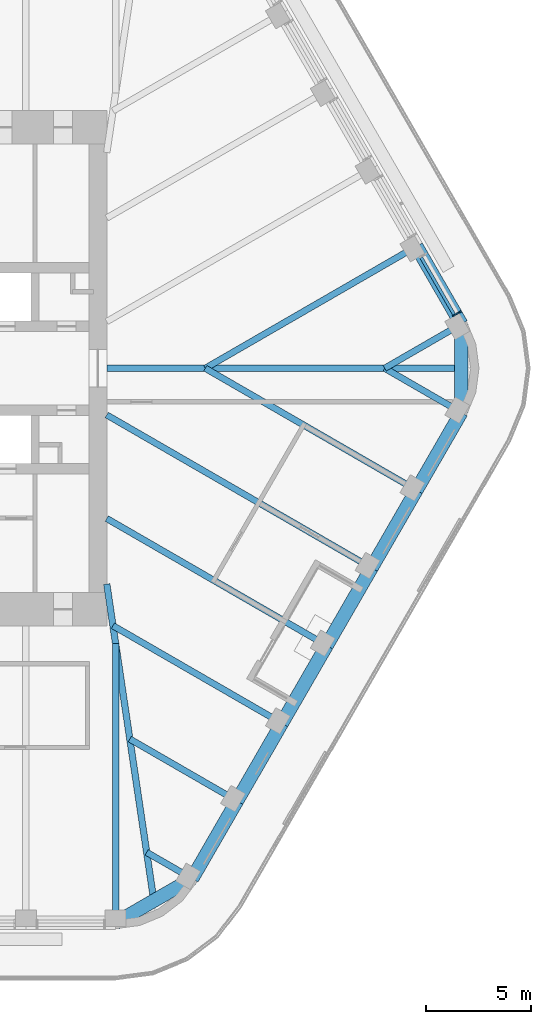
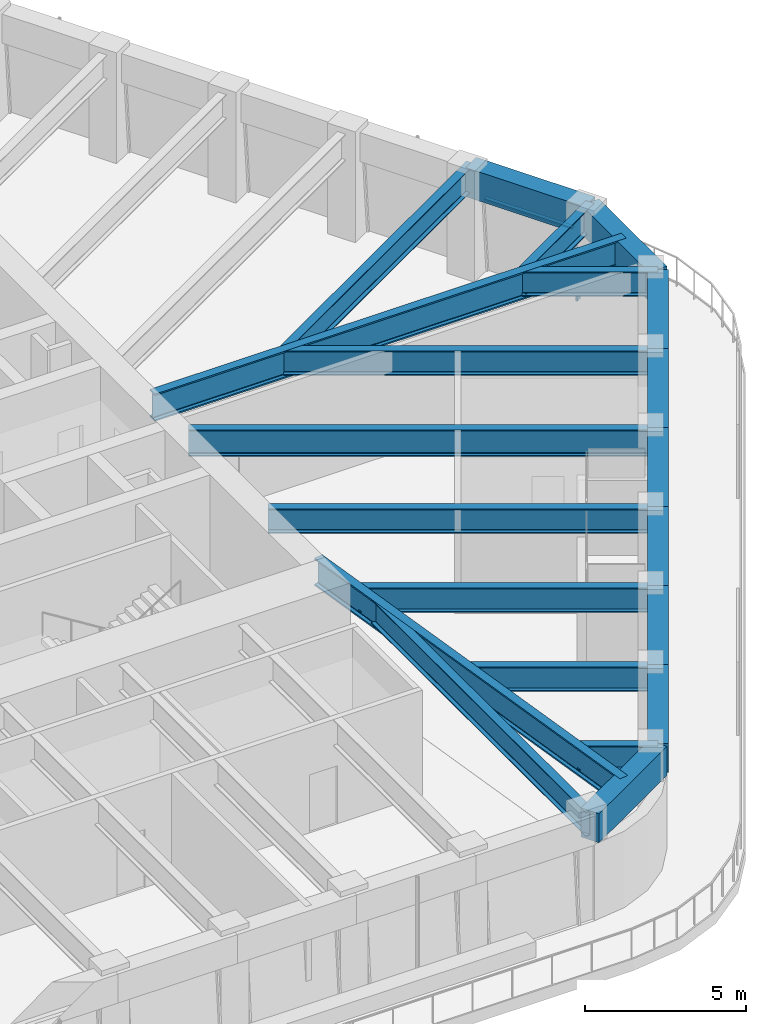
# One storey, part 5 of 19: 21 beams, 2 members, 1 element without a shape of its own.
"""IFC4 building model written with IfcOpenShell, lengths in metres."""

from ifc_helpers import new_model, si_unit, direction, frame, origin, origin_2d, place, context, subcontext, project, spatial, rectangle, i_section, extrude, material, material_profile, profile_set, type_object, element, aggregate, save


model = new_model("IFC4")

# Units and contexts
model_context = context("Model", 3, precision=1e-05, world=origin(), true_north=direction((0.0, 1.0)))
body_context = subcontext(model_context, "Body", "Model", "MODEL_VIEW")
ifc_project = project(units=[si_unit("LENGTHUNIT", "METRE"), si_unit("AREAUNIT", "SQUARE_METRE"), si_unit("VOLUMEUNIT", "CUBIC_METRE"), si_unit("PLANEANGLEUNIT", "RADIAN"), si_unit("MASSUNIT", "GRAM", prefix="KILO")], contexts=[model_context])

# Site, building, storey
site_placement = place(None, origin())
site = spatial("IfcSite", under=ifc_project, at=site_placement, CompositionType="ELEMENT")
building_placement = place(site_placement, origin())
building = spatial("IfcBuilding", under=site, at=building_placement, Name="Tarfa Lantern Tower", CompositionType="ELEMENT")
storey_placement = place(building_placement, frame((0.0, 0.0, 332.5)))
storey = spatial("IfcBuildingStorey", under=building, at=storey_placement, Name="L75", CompositionType="ELEMENT", Elevation=332.5)

# Curtain wall, members
ifc_material_1 = material(Name="Aluminium framed curtain wall", Category="aluminium")
curtain_wall_type = type_object("IfcCurtainWallType", Name="CW4 CANTED GLAZING EXECUTIVE ZONE 2900", PredefinedType="USERDEFINED", material=ifc_material_1)
curtain_wall_placement = place(storey_placement, origin())
curtain_wall = element("IfcCurtainWall", 1, at=curtain_wall_placement, inside=storey, type_object=curtain_wall_type, Name="CW4 NE L75", ObjectType="CURTAIN WALL", PredefinedType="USERDEFINED")
ifc_material_2 = material(Name="Aluminium mullion", Category="aluminium")
ifc_material_profile_1 = material_profile(ifc_material_2, rectangle(XDim=0.06494140625, YDim=0.199951171875, at=origin_2d()), Name="AL MULLION 65x200")
ifc_profile_set_1 = profile_set([ifc_material_profile_1], Name="Aluminium mullion")
member_type_1 = type_object("IfcMemberType", Name="CWM1 MULLION 65x200", PredefinedType="MULLION", material=ifc_profile_set_1)
member_1_placement = place(storey_placement, frame((29.236328125, 2.6611328125, 0.0), z_axis=(-0.074399820079, -0.042945555672, 0.996303340364), x_axis=(0.499919672301, -0.866071776036, 0.0)))
member_1 = element("IfcMember", 2, at=member_1_placement, type_object=member_type_1, Name="CW4 mullion 1", PredefinedType="MULLION", context=body_context, shape_type="SweptSolid", body=[
    extrude(rectangle(XDim=0.06494140625, YDim=0.199951171875, at=origin_2d()), origin(), (0.0, 0.0, 1.0), 2.91064453125),
])
ifc_material_3 = material(Name="Aluminium transom", Category="aluminium")
ifc_material_profile_2 = material_profile(ifc_material_3, rectangle(XDim=0.14990234375, YDim=0.06494140625, at=origin_2d()), Name="AL TRANSOM 150x65")
ifc_profile_set_2 = profile_set([ifc_material_profile_2], Name="Aluminium transom")
member_type_2 = type_object("IfcMemberType", Name="CWT1 TRANSOM 150x65", PredefinedType="USERDEFINED", material=ifc_profile_set_2)
member_2_placement = place(storey_placement, frame((29.006103515625, 2.565673828125, 2.867431640625), z_axis=(-0.500037562771, 0.866003715822, 0.0), x_axis=(-0.866003715822, -0.500037562771, 0.0)))
member_2 = element("IfcMember", 3, at=member_2_placement, type_object=member_type_2, Name="CW4 transom 1.2", ObjectType="TRANSOM", PredefinedType="USERDEFINED", context=body_context, shape_type="SweptSolid", body=[
    extrude(rectangle(XDim=0.14990234375, YDim=0.06494140625, at=origin_2d()), origin(), (0.0, 0.0, 1.0), 3.152099609375),
])
aggregate(curtain_wall, [member_1, member_2])

# Beams
ifc_material_4 = material(Name="Concrete C80/95", Category="concrete")
ifc_material_profile_3 = material_profile(ifc_material_4, rectangle(XDim=0.64990234375, YDim=1.10009765625, at=origin_2d()), Name="RC 650x1100")
ifc_profile_set_3 = profile_set([ifc_material_profile_3], Name="Concrete C80/95")
beam_type_1 = type_object("IfcBeamType", Name="EB4 RC 650x1100", PredefinedType="SPANDREL", material=ifc_profile_set_3)
beam_1_placement = place(storey_placement, frame((29.3466796875, 2.110107421875, 3.449951171875), z_axis=(-0.499984039138, 0.866034618596, 0.0), x_axis=(-0.866034618596, -0.499984039138, 0.0)))
element("IfcBeam", 4, at=beam_1_placement, inside=storey, type_object=beam_type_1, Name="Edge beam NE0", PredefinedType="SPANDREL", context=body_context, shape_type="SweptSolid", body=[
    extrude(rectangle(XDim=0.64990234375, YDim=1.10009765625, at=origin_2d()), origin(), (0.0, 0.0, 1.0), 4.281982421875),
])
beam_2_placement = place(storey_placement, frame((12.845947265625, -26.469970703125, 3.449951171875), z_axis=(0.866048788483, 0.499959494327, 0.0), x_axis=(-0.499959494327, 0.866048788483, 0.0)))
element("IfcBeam", 5, at=beam_2_placement, inside=storey, type_object=beam_type_1, Name="Edge beam S6", PredefinedType="SPANDREL", context=body_context, shape_type="SweptSolid", body=[
    extrude(rectangle(XDim=0.64990234375, YDim=1.10009765625, at=origin_2d()), origin(), (0.0, 0.0, 1.0), 4.219970703125),
])
for number, where, z_axis, x_axis, name in (
    (6, (16.500732421875, -24.360107421875, 3.449951171875), (0.499959351497, 0.866048870937, 0.0), (-0.866048870937, 0.499959351497, 0.0), "Edge beam SE0"),
    (7, (18.6416015625, -20.651611328125, 3.449951171875), (0.500026801138, 0.866009929587, 0.0), (-0.866009929587, 0.500026801138, 0.0), "Edge beam SE1"),
    (8, (20.78271484375, -16.943359375, 3.449951171875), (0.499984039138, 0.866034618596, 0.0), (-0.866034618596, 0.499984039138, 0.0), "Edge beam SE2"),
):
    element("IfcBeam", number, at=place(storey_placement, frame(where, z_axis=z_axis, x_axis=x_axis)), inside=storey, type_object=beam_type_1, Name=name, PredefinedType="SPANDREL", context=body_context, shape_type="SweptSolid", body=[
        extrude(rectangle(XDim=0.64990234375, YDim=1.10009765625, at=origin_2d()), origin(), (0.0, 0.0, 1.0), 4.281982421875),
    ])
beam_3_placement = place(storey_placement, frame((22.923583984375, -13.235107421875, 3.449951171875), z_axis=(0.500002112793, 0.866024183959, 0.0), x_axis=(-0.866024183959, 0.500002112793, 0.0)))
element("IfcBeam", 9, at=beam_3_placement, inside=storey, type_object=beam_type_1, Name="Edge beam SE3", PredefinedType="SPANDREL", context=body_context, shape_type="SweptSolid", body=[
    extrude(rectangle(XDim=0.64990234375, YDim=1.10009765625, at=origin_2d()), origin(), (0.0, 0.0, 1.0), 4.2822265625),
])
for number, where, z_axis, x_axis, name in (
    (10, (25.064697265625, -9.526611328125, 3.449951171875), (0.500026801138, 0.866009929587, 0.0), (-0.866009929587, 0.500026801138, 0.0), "Edge beam SE4"),
    (11, (27.205810546875, -5.818359375, 3.449951171875), (0.499984039138, 0.866034618596, 0.0), (-0.866034618596, 0.499984039138, 0.0), "Edge beam SE5"),
):
    element("IfcBeam", number, at=place(storey_placement, frame(where, z_axis=z_axis, x_axis=x_axis)), inside=storey, type_object=beam_type_1, Name=name, PredefinedType="SPANDREL", context=body_context, shape_type="SweptSolid", body=[
        extrude(rectangle(XDim=0.64990234375, YDim=1.10009765625, at=origin_2d()), origin(), (0.0, 0.0, 1.0), 4.281982421875),
    ])
beam_4_placement = place(storey_placement, frame((29.3466796875, -2.110107421875, 3.449951171875), z_axis=(0.0, 1.0, 0.0), x_axis=(-1.0, 0.0, 0.0)))
element("IfcBeam", 12, at=beam_4_placement, inside=storey, type_object=beam_type_1, Name="Edge beam SE6", PredefinedType="SPANDREL", context=body_context, shape_type="SweptSolid", body=[
    extrude(rectangle(XDim=0.64990234375, YDim=1.10009765625, at=origin_2d()), origin(), (0.0, 0.0, 1.0), 4.22021484375),
])
ifc_material_5 = material(Name="Steel S460M", Category="steel")
ifc_material_profile_4 = material_profile(ifc_material_5, i_section(OverallWidth=0.302001953125, OverallDepth=1.008056640625, WebThickness=0.02099609375, FlangeThickness=0.0400390625, FilletRadius=0.030029296875, at=origin_2d()), Name="UB1016x305x349")
ifc_profile_set_4 = profile_set([ifc_material_profile_4], Name="Steel S460M")
beam_type_2 = type_object("IfcBeamType", Name="UB1016x305x349", PredefinedType="BEAM", material=ifc_profile_set_4)
beam_5_placement = place(storey_placement, frame((25.064697265625, -9.526611328125, 3.495849609375), z_axis=(-0.866029591389, 0.499992746786, 0.0), x_axis=(-0.499992746786, -0.866029591389, 0.0)))
element("IfcBeam", 13, at=beam_5_placement, inside=storey, type_object=beam_type_2, Name="Floor beam SE4", PredefinedType="BEAM", context=body_context, shape_type="SweptSolid", body=[
    extrude(i_section(OverallWidth=0.302001953125, OverallDepth=1.008056640625, WebThickness=0.02099609375, FlangeThickness=0.0400390625, FilletRadius=0.030029296875, at=origin_2d()), origin(), (0.0, 0.0, 1.0), 14.594970703125),
])
ifc_material_profile_5 = material_profile(ifc_material_5, i_section(OverallWidth=0.30859375, OverallDepth=1.036376953125, WebThickness=0.030029296875, FlangeThickness=0.05419921875, FilletRadius=0.030029296875, at=origin_2d()), Name="UB1016x305x487")
ifc_profile_set_5 = profile_set([ifc_material_profile_5], Name="Steel S460M")
beam_type_3 = type_object("IfcBeamType", Name="UB1016x305x487", PredefinedType="BEAM", material=ifc_profile_set_5)
beam_6_placement = place(storey_placement, frame((12.425048828125, 0.0, 3.48193359375), z_axis=(1.0, 0.0, 0.0), x_axis=(0.0, 1.0, 0.0)))
element("IfcBeam", 14, at=beam_6_placement, inside=storey, type_object=beam_type_3, Name="Hip girder E", PredefinedType="BEAM", context=body_context, shape_type="SweptSolid", body=[
    extrude(i_section(OverallWidth=0.30859375, OverallDepth=1.036376953125, WebThickness=0.030029296875, FlangeThickness=0.05419921875, FilletRadius=0.030029296875, at=origin_2d()), origin(), (0.0, 0.0, 1.0), 16.921630859375),
])
beam_7_placement = place(storey_placement, frame((12.425048828125, -10.300048828125, 3.48193359375), z_axis=(0.147127069073, -0.989117599452, 0.0), x_axis=(0.989117599452, 0.147127069073, 0.0)))
element("IfcBeam", 15, at=beam_7_placement, inside=storey, type_object=beam_type_3, Name="Hip girder SE", PredefinedType="BEAM", context=body_context, shape_type="SweptSolid", body=[
    extrude(i_section(OverallWidth=0.30859375, OverallDepth=1.036376953125, WebThickness=0.030029296875, FlangeThickness=0.05419921875, FilletRadius=0.030029296875, at=origin_2d()), origin(), (0.0, 0.0, 1.0), 15.28125),
])
ifc_material_profile_6 = material_profile(ifc_material_5, i_section(OverallWidth=0.305419921875, OverallDepth=0.91845703125, WebThickness=0.017333984375, FlangeThickness=0.02783203125, FilletRadius=0.01904296875, at=origin_2d()), Name="UB914x305x253")
ifc_profile_set_6 = profile_set([ifc_material_profile_6], Name="Steel S460M")
beam_type_4 = type_object("IfcBeamType", Name="UB914x305x253", PredefinedType="BEAM", material=ifc_profile_set_6)
beam_8_placement = place(storey_placement, frame((29.3466796875, 2.110107421875, 3.540771484375), z_axis=(-0.866009274789, -0.500027935199, 0.0), x_axis=(0.500027935199, -0.866009274789, 0.0)))
element("IfcBeam", 16, at=beam_8_placement, inside=storey, type_object=beam_type_4, Name="Floor beam NE0", PredefinedType="BEAM", context=body_context, shape_type="SweptSolid", body=[
    extrude(i_section(OverallWidth=0.305419921875, OverallDepth=0.91845703125, WebThickness=0.017333984375, FlangeThickness=0.02783203125, FilletRadius=0.01904296875, at=origin_2d()), origin(), (0.0, 0.0, 1.0), 4.219970703125),
])
beam_9_placement = place(storey_placement, frame((27.205810546875, 5.818359375, 3.540771484375), z_axis=(-0.866024171998, -0.500002133511, 0.0), x_axis=(0.500002133511, -0.866024171998, 0.0)))
element("IfcBeam", 17, at=beam_9_placement, inside=storey, type_object=beam_type_4, Name="Floor beam NE1", PredefinedType="BEAM", context=body_context, shape_type="SweptSolid", body=[
    extrude(i_section(OverallWidth=0.305419921875, OverallDepth=0.91845703125, WebThickness=0.017333984375, FlangeThickness=0.02783203125, FilletRadius=0.01904296875, at=origin_2d()), origin(), (0.0, 0.0, 1.0), 11.63671875),
])
beam_10_placement = place(storey_placement, frame((12.845947265625, -26.469970703125, 3.540771484375), z_axis=(0.0, 1.0, 0.0), x_axis=(-1.0, 0.0, 0.0)))
element("IfcBeam", 18, at=beam_10_placement, inside=storey, type_object=beam_type_4, Name="Floor beam S6", PredefinedType="BEAM", context=body_context, shape_type="SweptSolid", body=[
    extrude(i_section(OverallWidth=0.305419921875, OverallDepth=0.91845703125, WebThickness=0.017333984375, FlangeThickness=0.02783203125, FilletRadius=0.01904296875, at=origin_2d()), origin(), (0.0, 0.0, 1.0), 13.33935546875),
])
beam_11_placement = place(storey_placement, frame((16.500732421875, -24.360107421875, 3.540771484375), z_axis=(-0.865992557167, 0.500056887695, 0.0), x_axis=(-0.500056887695, -0.865992557167, 0.0)))
element("IfcBeam", 19, at=beam_11_placement, inside=storey, type_object=beam_type_4, Name="Floor beam SE0", PredefinedType="BEAM", context=body_context, shape_type="SweptSolid", body=[
    extrude(i_section(OverallWidth=0.305419921875, OverallDepth=0.91845703125, WebThickness=0.017333984375, FlangeThickness=0.02783203125, FilletRadius=0.01904296875, at=origin_2d()), origin(), (0.0, 0.0, 1.0), 2.506591796875),
])
beam_12_placement = place(storey_placement, frame((18.6416015625, -20.651611328125, 3.540771484375), z_axis=(-0.866024549157, 0.500001480256, 0.0), x_axis=(-0.500001480256, -0.866024549157, 0.0)))
element("IfcBeam", 20, at=beam_12_placement, inside=storey, type_object=beam_type_4, Name="Floor beam SE1", PredefinedType="BEAM", context=body_context, shape_type="SweptSolid", body=[
    extrude(i_section(OverallWidth=0.305419921875, OverallDepth=0.91845703125, WebThickness=0.017333984375, FlangeThickness=0.02783203125, FilletRadius=0.01904296875, at=origin_2d()), origin(), (0.0, 0.0, 1.0), 5.90771484375),
])
beam_13_placement = place(storey_placement, frame((20.78271484375, -16.943359375, 3.540771484375), z_axis=(-0.866021806508, 0.500006230613, 0.0), x_axis=(-0.500006230613, -0.866021806508, 0.0)))
element("IfcBeam", 21, at=beam_13_placement, inside=storey, type_object=beam_type_4, Name="Floor beam SE2", PredefinedType="BEAM", context=body_context, shape_type="SweptSolid", body=[
    extrude(i_section(OverallWidth=0.305419921875, OverallDepth=0.91845703125, WebThickness=0.017333984375, FlangeThickness=0.02783203125, FilletRadius=0.01904296875, at=origin_2d()), origin(), (0.0, 0.0, 1.0), 9.30908203125),
])
beam_14_placement = place(storey_placement, frame((22.923583984375, -13.235107421875, 3.540771484375), z_axis=(-0.86601856927, 0.500011837539, 0.0), x_axis=(-0.500011837539, -0.86601856927, 0.0)))
element("IfcBeam", 22, at=beam_14_placement, inside=storey, type_object=beam_type_4, Name="Floor beam SE3", PredefinedType="BEAM", context=body_context, shape_type="SweptSolid", body=[
    extrude(i_section(OverallWidth=0.305419921875, OverallDepth=0.91845703125, WebThickness=0.017333984375, FlangeThickness=0.02783203125, FilletRadius=0.01904296875, at=origin_2d()), origin(), (0.0, 0.0, 1.0), 12.122802734375),
])
beam_15_placement = place(storey_placement, frame((27.205810546875, -5.818359375, 3.540771484375), z_axis=(-0.866024171998, 0.500002133511, 0.0), x_axis=(-0.500002133511, -0.866024171998, 0.0)))
element("IfcBeam", 23, at=beam_15_placement, inside=storey, type_object=beam_type_4, Name="Floor beam SE5", PredefinedType="BEAM", context=body_context, shape_type="SweptSolid", body=[
    extrude(i_section(OverallWidth=0.305419921875, OverallDepth=0.91845703125, WebThickness=0.017333984375, FlangeThickness=0.02783203125, FilletRadius=0.01904296875, at=origin_2d()), origin(), (0.0, 0.0, 1.0), 11.63671875),
])
beam_16_placement = place(storey_placement, frame((29.3466796875, -2.110107421875, 3.540771484375), z_axis=(-0.866009274789, 0.500027935199, 0.0), x_axis=(-0.500027935199, -0.866009274789, 0.0)))
element("IfcBeam", 24, at=beam_16_placement, inside=storey, type_object=beam_type_4, Name="Floor beam SE6", PredefinedType="BEAM", context=body_context, shape_type="SweptSolid", body=[
    extrude(i_section(OverallWidth=0.305419921875, OverallDepth=0.91845703125, WebThickness=0.017333984375, FlangeThickness=0.02783203125, FilletRadius=0.01904296875, at=origin_2d()), origin(), (0.0, 0.0, 1.0), 4.219970703125),
])

save(model, "model.ifc")
